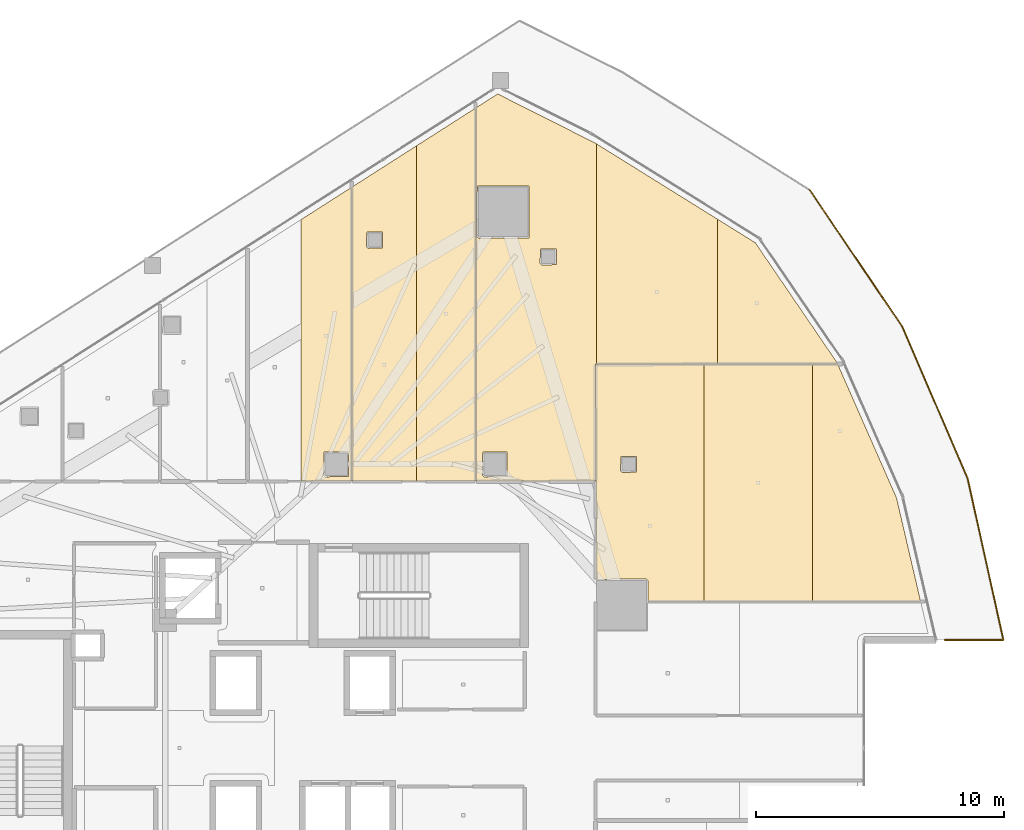
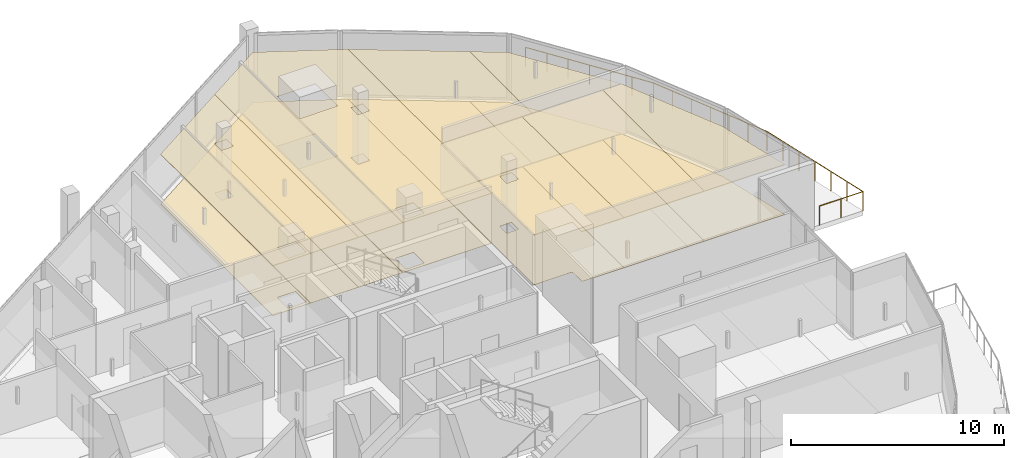
# One storey, part 33 of 33: 18 coverings, 1 railing.
"""IFC4 building model written with IfcOpenShell, lengths in metres."""

from ifc_helpers import new_model, si_unit, direction, frame, origin, origin_2d, place, context, subcontext, project, spatial, polyline, circle, outline, extrude, material, layer, layer_set, type_object, element, save


model = new_model("IFC4")

# Units and contexts
model_context = context("Model", 3, precision=1e-05, world=origin(), true_north=direction((0.0, 1.0)))
body_context = subcontext(model_context, "Body", "Model", "MODEL_VIEW")
ifc_project = project(units=[si_unit("LENGTHUNIT", "METRE"), si_unit("AREAUNIT", "SQUARE_METRE"), si_unit("VOLUMEUNIT", "CUBIC_METRE"), si_unit("PLANEANGLEUNIT", "RADIAN"), si_unit("MASSUNIT", "GRAM", prefix="KILO")], contexts=[model_context])

# Site, building, storey
site_placement = place(None, origin())
site = spatial("IfcSite", under=ifc_project, at=site_placement, CompositionType="ELEMENT")
building_placement = place(site_placement, origin())
building = spatial("IfcBuilding", under=site, at=building_placement, Name="Qorvath Tower", CompositionType="ELEMENT")
storey_placement = place(building_placement, frame((0.0, 0.0, 209.10009765625)))
storey = spatial("IfcBuildingStorey", under=building, at=storey_placement, Name="L48", CompositionType="ELEMENT", Elevation=209.10009765625)

# Coverings
ifc_material_1 = material(Name="Acoustic mineral fibre ceiling tile", Category="gypsum")
ifc_layer_1 = layer(ifc_material_1, 0.030029296875)
ifc_layer_set_1 = layer_set([ifc_layer_1], Name="COV-CEIL")
covering_type_1 = type_object("IfcCoveringType", Name="COV-CEIL", PredefinedType="CEILING", material=ifc_layer_set_1)
covering_1_placement = place(storey_placement, frame((0.0, 0.0, 2.849853515625)))
element("IfcCovering", 1, at=covering_1_placement, inside=storey, type_object=covering_type_1, Name="L48 Suspended Acoustic Ceiling 014", PredefinedType="CEILING", context=body_context, shape_type="SweptSolid", body=[
    extrude(outline(polyline([(-25.0205078125, 21.319580078125), (-25.0205078125, 10.762939453125), (-22.98583984375, 10.762939453125), (-22.98583984375, 22.619873046875), (-25.0205078125, 21.319580078125)]), holes=[polyline([(-24.110107421875, 11.0), (-24.092529296875, 11.9423828125), (-23.107666015625, 11.9423828125), (-23.107666015625, 10.95751953125), (-24.050048828125, 10.93994140625), (-24.110107421875, 11.0)])]), origin(), (0.0, 0.0, 1.0), 0.030029296875),
])
covering_2_placement = place(storey_placement, frame((0.0, 0.0, 2.849853515625)))
element("IfcCovering", 2, at=covering_2_placement, inside=storey, type_object=covering_type_1, Name="L48 Suspended Acoustic Ceiling 015", PredefinedType="CEILING", context=body_context, shape_type="SweptSolid", body=[
    extrude(outline(polyline([(-22.9677734375, 10.762939453125), (-20.368408203125, 10.762939453125), (-20.368408203125, 24.292724609375), (-22.9677734375, 22.63134765625), (-22.9677734375, 10.762939453125)]), holes=[polyline([(-22.38818359375, 20.219970703125), (-22.37060546875, 20.812255859375), (-21.73583984375, 20.812255859375), (-21.73583984375, 20.177490234375), (-22.328125, 20.159912109375), (-22.38818359375, 20.219970703125)])]), origin(), (0.0, 0.0, 1.0), 0.030029296875),
])
covering_3_placement = place(storey_placement, frame((0.0, 0.0, 2.849853515625)))
element("IfcCovering", 3, at=covering_3_placement, inside=storey, type_object=covering_type_1, Name="L48 Suspended Acoustic Ceiling 016", PredefinedType="CEILING", context=body_context, shape_type="SweptSolid", body=[
    extrude(outline(polyline([(-20.368408203125, 24.292724609375), (-20.368408203125, 10.762939453125), (-17.986328125, 10.762939453125), (-17.986328125, 25.815185546875), (-20.368408203125, 24.292724609375)])), origin(), (0.0, 0.0, 1.0), 0.030029296875),
])
covering_4_placement = place(storey_placement, frame((0.0, 0.0, 2.849853515625)))
element("IfcCovering", 4, at=covering_4_placement, inside=storey, type_object=covering_type_1, Name="L48 Suspended Acoustic Ceiling 017", PredefinedType="CEILING", context=body_context, shape_type="SweptSolid", body=[
    extrude(outline(polyline([(-13.100830078125, 15.483154296875), (-13.100830078125, 24.36962890625), (-13.15673828125, 24.404296875), (-17.09130859375, 26.38720703125), (-17.96826171875, 25.82666015625), (-17.96826171875, 10.762939453125), (-13.155029296875, 10.762939453125), (-13.14990234375, 15.483154296875), (-13.100830078125, 15.483154296875)]), holes=[polyline([(-15.381103515625, 19.543212890625), (-15.363525390625, 20.135498046875), (-14.728759765625, 20.135498046875), (-14.728759765625, 19.500732421875), (-15.321044921875, 19.483154296875), (-15.381103515625, 19.543212890625)]), polyline([(-17.931640625, 20.627197265625), (-17.9140625, 22.66943359375), (-15.829345703125, 22.66943359375), (-15.829345703125, 20.584716796875), (-17.87158203125, 20.567138671875), (-17.931640625, 20.627197265625)]), polyline([(-17.7099609375, 11.0), (-17.6923828125, 11.9423828125), (-16.70751953125, 11.9423828125), (-16.70751953125, 10.95751953125), (-17.64990234375, 10.93994140625), (-17.7099609375, 11.0)])]), origin(), (0.0, 0.0, 1.0), 0.030029296875),
])
covering_5_placement = place(storey_placement, frame((0.0, 0.0, 2.849853515625)))
element("IfcCovering", 5, at=covering_5_placement, inside=storey, type_object=covering_type_1, Name="L48 Suspended Acoustic Ceiling 018", PredefinedType="CEILING", context=body_context, shape_type="SweptSolid", body=[
    extrude(outline(polyline([(-8.2333984375, 15.489501953125), (-8.2333984375, 21.33935546875), (-13.100830078125, 24.36962890625), (-13.100830078125, 15.483154296875), (-8.2333984375, 15.489501953125)])), origin(), (0.0, 0.0, 1.0), 0.030029296875),
])
covering_6_placement = place(storey_placement, frame((0.0, 0.0, 2.849853515625)))
element("IfcCovering", 6, at=covering_6_placement, inside=storey, type_object=covering_type_1, Name="L48 Suspended Acoustic Ceiling 019", PredefinedType="CEILING", context=body_context, shape_type="SweptSolid", body=[
    extrude(outline(polyline([(-3.365966796875, 15.49560546875), (-6.696533203125, 20.382568359375), (-8.2333984375, 21.33935546875), (-8.2333984375, 15.489501953125), (-3.365966796875, 15.49560546875)])), origin(), (0.0, 0.0, 1.0), 0.030029296875),
])
covering_7_placement = place(storey_placement, frame((0.0, 0.0, 2.849853515625)))
element("IfcCovering", 7, at=covering_7_placement, inside=storey, type_object=covering_type_1, Name="L48 Suspended Acoustic Ceiling 037", PredefinedType="CEILING", context=body_context, shape_type="SweptSolid", body=[
    extrude(outline(polyline([(-11.036865234375, 6.7578125), (-11.036865234375, 5.91845703125), (-8.768310546875, 5.91845703125), (-8.768310546875, 15.470703125), (-13.136962890625, 15.465087890625), (-13.129638671875, 6.80419921875), (-11.0966796875, 6.81787109375), (-11.036865234375, 6.7578125)]), holes=[polyline([(-12.135009765625, 11.175048828125), (-12.117431640625, 11.767333984375), (-11.482666015625, 11.767333984375), (-11.482666015625, 11.132568359375), (-12.074951171875, 11.114990234375), (-12.135009765625, 11.175048828125)])]), origin(), (0.0, 0.0, 1.0), 0.030029296875),
])
covering_8_placement = place(storey_placement, frame((0.0, 0.0, 2.849853515625)))
element("IfcCovering", 8, at=covering_8_placement, inside=storey, type_object=covering_type_1, Name="L48 Suspended Acoustic Ceiling 038", PredefinedType="CEILING", context=body_context, shape_type="SweptSolid", body=[
    extrude(outline(polyline([(-8.768310546875, 15.470703125), (-8.768310546875, 5.91845703125), (-4.3994140625, 5.91845703125), (-4.3994140625, 15.476318359375), (-8.768310546875, 15.470703125)])), origin(), (0.0, 0.0, 1.0), 0.030029296875),
])
covering_9_placement = place(storey_placement, frame((0.0, 0.0, 2.849853515625)))
element("IfcCovering", 9, at=covering_9_placement, inside=storey, type_object=covering_type_1, Name="L48 Suspended Acoustic Ceiling 039", PredefinedType="CEILING", context=body_context, shape_type="SweptSolid", body=[
    extrude(outline(polyline([(-4.3994140625, 15.476318359375), (-4.3994140625, 5.91845703125), (-0.03076171875, 5.91845703125), (-1.001220703125, 10.088623046875), (-3.371337890625, 15.4775390625), (-4.3994140625, 15.476318359375)])), origin(), (0.0, 0.0, 1.0), 0.030029296875),
])
ifc_material_2 = material(Name="Low-VOC modular carpet tile", Category="textile")
ifc_layer_2 = layer(ifc_material_2, 0.014892578125)
ifc_layer_set_2 = layer_set([ifc_layer_2], Name="COV-FLOOR-CPT")
covering_type_2 = type_object("IfcCoveringType", Name="COV-FLOOR-CPT", PredefinedType="FLOORING", material=ifc_layer_set_2)
covering_10_placement = place(storey_placement, origin())
element("IfcCovering", 10, at=covering_10_placement, inside=storey, type_object=covering_type_2, Name="L48 Floor Finish 014", PredefinedType="FLOORING", context=body_context, shape_type="SweptSolid", body=[
    extrude(outline(polyline([(-25.0205078125, 21.319580078125), (-25.0205078125, 10.762939453125), (-22.98583984375, 10.762939453125), (-22.98583984375, 22.619873046875), (-25.0205078125, 21.319580078125)]), holes=[polyline([(-24.110107421875, 11.0), (-24.092529296875, 11.9423828125), (-23.107666015625, 11.9423828125), (-23.107666015625, 10.95751953125), (-24.050048828125, 10.93994140625), (-24.110107421875, 11.0)])]), origin(), (0.0, 0.0, 1.0), 0.014892578125),
])
covering_11_placement = place(storey_placement, origin())
element("IfcCovering", 11, at=covering_11_placement, inside=storey, type_object=covering_type_2, Name="L48 Floor Finish 015", PredefinedType="FLOORING", context=body_context, shape_type="SweptSolid", body=[
    extrude(outline(polyline([(-22.9677734375, 10.762939453125), (-20.368408203125, 10.762939453125), (-20.368408203125, 24.292724609375), (-22.9677734375, 22.63134765625), (-22.9677734375, 10.762939453125)]), holes=[polyline([(-22.38818359375, 20.219970703125), (-22.37060546875, 20.812255859375), (-21.73583984375, 20.812255859375), (-21.73583984375, 20.177490234375), (-22.328125, 20.159912109375), (-22.38818359375, 20.219970703125)])]), origin(), (0.0, 0.0, 1.0), 0.014892578125),
])
covering_12_placement = place(storey_placement, origin())
element("IfcCovering", 12, at=covering_12_placement, inside=storey, type_object=covering_type_2, Name="L48 Floor Finish 016", PredefinedType="FLOORING", context=body_context, shape_type="SweptSolid", body=[
    extrude(outline(polyline([(-20.368408203125, 24.292724609375), (-20.368408203125, 10.762939453125), (-17.986328125, 10.762939453125), (-17.986328125, 25.815185546875), (-20.368408203125, 24.292724609375)])), origin(), (0.0, 0.0, 1.0), 0.014892578125),
])
covering_13_placement = place(storey_placement, origin())
element("IfcCovering", 13, at=covering_13_placement, inside=storey, type_object=covering_type_2, Name="L48 Floor Finish 017", PredefinedType="FLOORING", context=body_context, shape_type="SweptSolid", body=[
    extrude(outline(polyline([(-13.100830078125, 15.483154296875), (-13.100830078125, 24.36962890625), (-13.15673828125, 24.404296875), (-17.09130859375, 26.38720703125), (-17.96826171875, 25.82666015625), (-17.96826171875, 10.762939453125), (-13.155029296875, 10.762939453125), (-13.14990234375, 15.483154296875), (-13.100830078125, 15.483154296875)]), holes=[polyline([(-15.381103515625, 19.543212890625), (-15.363525390625, 20.135498046875), (-14.728759765625, 20.135498046875), (-14.728759765625, 19.500732421875), (-15.321044921875, 19.483154296875), (-15.381103515625, 19.543212890625)]), polyline([(-17.931640625, 20.627197265625), (-17.9140625, 22.66943359375), (-15.829345703125, 22.66943359375), (-15.829345703125, 20.584716796875), (-17.87158203125, 20.567138671875), (-17.931640625, 20.627197265625)]), polyline([(-17.7099609375, 11.0), (-17.6923828125, 11.9423828125), (-16.70751953125, 11.9423828125), (-16.70751953125, 10.95751953125), (-17.64990234375, 10.93994140625), (-17.7099609375, 11.0)])]), origin(), (0.0, 0.0, 1.0), 0.014892578125),
])
covering_14_placement = place(storey_placement, origin())
element("IfcCovering", 14, at=covering_14_placement, inside=storey, type_object=covering_type_2, Name="L48 Floor Finish 018", PredefinedType="FLOORING", context=body_context, shape_type="SweptSolid", body=[
    extrude(outline(polyline([(-8.2333984375, 15.489501953125), (-8.2333984375, 21.33935546875), (-13.100830078125, 24.36962890625), (-13.100830078125, 15.483154296875), (-8.2333984375, 15.489501953125)])), origin(), (0.0, 0.0, 1.0), 0.014892578125),
])
covering_15_placement = place(storey_placement, origin())
element("IfcCovering", 15, at=covering_15_placement, inside=storey, type_object=covering_type_2, Name="L48 Floor Finish 019", PredefinedType="FLOORING", context=body_context, shape_type="SweptSolid", body=[
    extrude(outline(polyline([(-3.365966796875, 15.49560546875), (-6.696533203125, 20.382568359375), (-8.2333984375, 21.33935546875), (-8.2333984375, 15.489501953125), (-3.365966796875, 15.49560546875)])), origin(), (0.0, 0.0, 1.0), 0.014892578125),
])
covering_16_placement = place(storey_placement, origin())
element("IfcCovering", 16, at=covering_16_placement, inside=storey, type_object=covering_type_2, Name="L48 Floor Finish 037", PredefinedType="FLOORING", context=body_context, shape_type="SweptSolid", body=[
    extrude(outline(polyline([(-11.036865234375, 6.7578125), (-11.036865234375, 5.91845703125), (-8.768310546875, 5.91845703125), (-8.768310546875, 15.470703125), (-13.136962890625, 15.465087890625), (-13.129638671875, 6.80419921875), (-11.0966796875, 6.81787109375), (-11.036865234375, 6.7578125)]), holes=[polyline([(-12.135009765625, 11.175048828125), (-12.117431640625, 11.767333984375), (-11.482666015625, 11.767333984375), (-11.482666015625, 11.132568359375), (-12.074951171875, 11.114990234375), (-12.135009765625, 11.175048828125)])]), origin(), (0.0, 0.0, 1.0), 0.014892578125),
])
covering_17_placement = place(storey_placement, origin())
element("IfcCovering", 17, at=covering_17_placement, inside=storey, type_object=covering_type_2, Name="L48 Floor Finish 038", PredefinedType="FLOORING", context=body_context, shape_type="SweptSolid", body=[
    extrude(outline(polyline([(-8.768310546875, 15.470703125), (-8.768310546875, 5.91845703125), (-4.3994140625, 5.91845703125), (-4.3994140625, 15.476318359375), (-8.768310546875, 15.470703125)])), origin(), (0.0, 0.0, 1.0), 0.014892578125),
])
covering_18_placement = place(storey_placement, origin())
element("IfcCovering", 18, at=covering_18_placement, inside=storey, type_object=covering_type_2, Name="L48 Floor Finish 039", PredefinedType="FLOORING", context=body_context, shape_type="SweptSolid", body=[
    extrude(outline(polyline([(-4.3994140625, 15.476318359375), (-4.3994140625, 5.91845703125), (-0.03076171875, 5.91845703125), (-1.001220703125, 10.088623046875), (-3.371337890625, 15.4775390625), (-4.3994140625, 15.476318359375)])), origin(), (0.0, 0.0, 1.0), 0.014892578125),
])

# Railing
ifc_material_3 = material(Name="Laminated safety glass and stainless steel AISI 316", Category="steel")
railing_type = type_object("IfcRailingType", Name="RL-EXT-GRD", PredefinedType="GUARDRAIL", material=ifc_material_3)
railing_placement = place(storey_placement, frame((-4.5126953125, 22.52734375, 0.0)))
element("IfcRailing", 19, at=railing_placement, inside=storey, type_object=railing_type, Name="Loggia Perimeter Guardrail L48-1.1", PredefinedType="GUARDRAIL", context=body_context, shape_type="SweptSolid", body=[
    extrude(circle(Radius=0.02392578125, at=origin_2d()), frame((0.0, 0.0, 1.09619140625), z_axis=(0.560823067229, -0.827935678217, 0.0), x_axis=(0.827935678217, 0.560823067229, 0.0)), (0.0, 0.0, 1.0), 6.673095703125),
    extrude(circle(Radius=0.02392578125, at=origin_2d()), frame((3.742431640625, -5.52490234375, 1.09619140625), z_axis=(0.395486213143, -0.918471913133, 0.0), x_axis=(0.918471913133, 0.395486213143, 0.0)), (0.0, 0.0, 1.0), 6.673095703125),
    extrude(circle(Radius=0.02392578125, at=origin_2d()), frame((6.381591796875, -11.654052734375, 1.09619140625), z_axis=(0.216078131765, -0.976376075584, 0.0), x_axis=(0.976376075584, 0.216078131765, 0.0)), (0.0, 0.0, 1.0), 6.673095703125),
    extrude(circle(Radius=0.02392578125, at=origin_2d()), frame((7.823486328125, -18.16943359375, 1.09619140625), z_axis=(-1.0, 0.0, 0.0), x_axis=(0.0, -1.0, 0.0)), (0.0, 0.0, 1.0), 2.366943359375),
    extrude(circle(Radius=0.02099609375, at=origin_2d()), origin(), (0.0, 0.0, 1.0), 1.072021484375),
    extrude(circle(Radius=0.02099609375, at=origin_2d()), frame((0.623779296875, -0.9208984375, 0.0)), (0.0, 0.0, 1.0), 1.072021484375),
    extrude(circle(Radius=0.02099609375, at=origin_2d()), frame((1.24755859375, -1.841552734375, 0.0)), (0.0, 0.0, 1.0), 1.072021484375),
    extrude(circle(Radius=0.02099609375, at=origin_2d()), frame((1.87109375, -2.762451171875, 0.0)), (0.0, 0.0, 1.0), 1.072021484375),
    extrude(circle(Radius=0.02099609375, at=origin_2d()), frame((2.494873046875, -3.683349609375, 0.0)), (0.0, 0.0, 1.0), 1.072021484375),
    extrude(circle(Radius=0.02099609375, at=origin_2d()), frame((3.11865234375, -4.60400390625, 0.0)), (0.0, 0.0, 1.0), 1.072021484375),
    extrude(circle(Radius=0.02099609375, at=origin_2d()), frame((3.742431640625, -5.52490234375, 0.0)), (0.0, 0.0, 1.0), 1.072021484375),
    extrude(circle(Radius=0.02099609375, at=origin_2d()), frame((4.182373046875, -6.54638671875, 0.0)), (0.0, 0.0, 1.0), 1.072021484375),
    extrude(circle(Radius=0.02099609375, at=origin_2d()), frame((4.6220703125, -7.56787109375, 0.0)), (0.0, 0.0, 1.0), 1.072021484375),
    extrude(circle(Radius=0.02099609375, at=origin_2d()), frame((5.06201171875, -8.58935546875, 0.0)), (0.0, 0.0, 1.0), 1.072021484375),
    extrude(circle(Radius=0.02099609375, at=origin_2d()), frame((5.501953125, -9.611083984375, 0.0)), (0.0, 0.0, 1.0), 1.072021484375),
    extrude(circle(Radius=0.02099609375, at=origin_2d()), frame((5.941650390625, -10.632568359375, 0.0)), (0.0, 0.0, 1.0), 1.072021484375),
    extrude(circle(Radius=0.02099609375, at=origin_2d()), frame((6.381591796875, -11.654052734375, 0.0)), (0.0, 0.0, 1.0), 1.072021484375),
    extrude(circle(Radius=0.02099609375, at=origin_2d()), frame((6.621826171875, -12.739990234375, 0.0)), (0.0, 0.0, 1.0), 1.072021484375),
    extrude(circle(Radius=0.02099609375, at=origin_2d()), frame((6.8623046875, -13.825927734375, 0.0)), (0.0, 0.0, 1.0), 1.072021484375),
    extrude(circle(Radius=0.02099609375, at=origin_2d()), frame((7.1025390625, -14.91162109375, 0.0)), (0.0, 0.0, 1.0), 1.072021484375),
    extrude(circle(Radius=0.02099609375, at=origin_2d()), frame((7.3427734375, -15.99755859375, 0.0)), (0.0, 0.0, 1.0), 1.072021484375),
    extrude(circle(Radius=0.02099609375, at=origin_2d()), frame((7.583251953125, -17.08349609375, 0.0)), (0.0, 0.0, 1.0), 1.072021484375),
    extrude(circle(Radius=0.02099609375, at=origin_2d()), frame((7.823486328125, -18.16943359375, 0.0)), (0.0, 0.0, 1.0), 1.072021484375),
    extrude(circle(Radius=0.02099609375, at=origin_2d()), frame((6.64013671875, -18.16943359375, 0.0)), (0.0, 0.0, 1.0), 1.072021484375),
    extrude(circle(Radius=0.02099609375, at=origin_2d()), frame((5.45654296875, -18.16943359375, 0.0)), (0.0, 0.0, 1.0), 1.072021484375),
])

save(model, "model.ifc")
